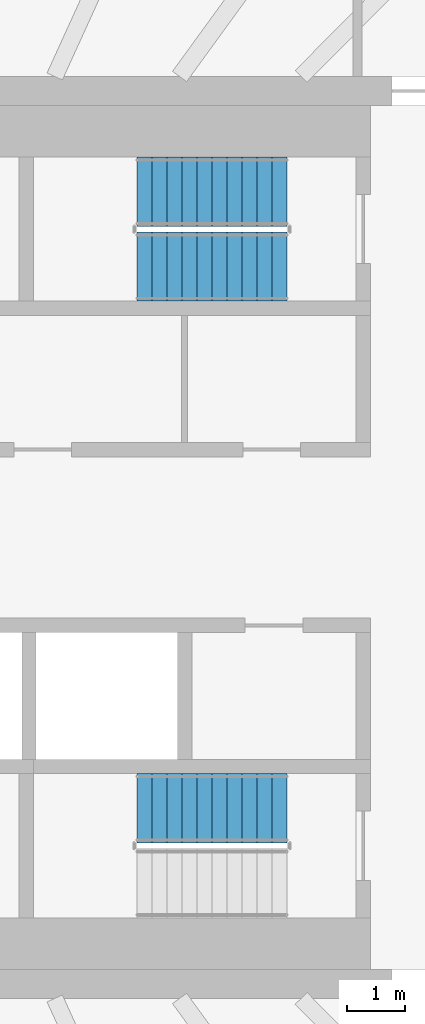
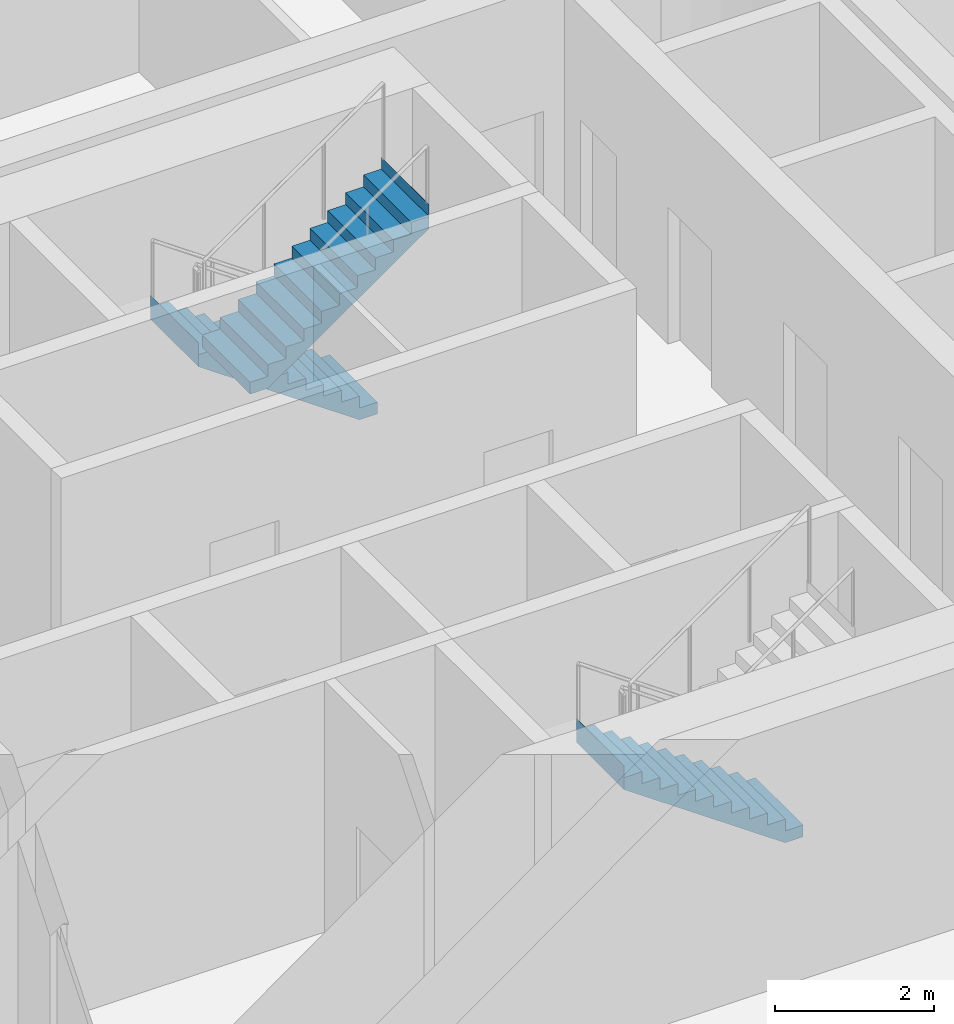
# One storey, part 17 of 23: 3 stair flights, 2 elements without a shape of their own.
"""IFC4 building model written with IfcOpenShell, lengths in metres."""

from ifc_helpers import new_model, si_unit, direction, frame, origin, place, context, subcontext, project, spatial, triangles, material, type_object, element, aggregate, save


model = new_model("IFC4")

# Units and contexts
model_context = context("Model", 3, precision=1e-05, world=origin(), true_north=direction((0.0, 1.0)))
body_context = subcontext(model_context, "Body", "Model", "MODEL_VIEW")
ifc_project = project(units=[si_unit("LENGTHUNIT", "METRE"), si_unit("AREAUNIT", "SQUARE_METRE"), si_unit("VOLUMEUNIT", "CUBIC_METRE"), si_unit("PLANEANGLEUNIT", "RADIAN"), si_unit("MASSUNIT", "GRAM", prefix="KILO")], contexts=[model_context])

# Site, building, storey
site_placement = place(None, origin())
site = spatial("IfcSite", under=ifc_project, at=site_placement, CompositionType="ELEMENT")
building_placement = place(site_placement, origin())
building = spatial("IfcBuilding", under=site, at=building_placement, Name="Sahrelin Media Tower", CompositionType="ELEMENT")
storey_placement = place(building_placement, frame((0.0, 0.0, 161.60009765625)))
storey = spatial("IfcBuildingStorey", under=building, at=storey_placement, Name="L33", CompositionType="ELEMENT", Elevation=161.60009765625)

# Stair, stair flights
ifc_material = material(Name="Concrete C40/50", Category="concrete")
stair_type = type_object("IfcStairType", Name="Exit stair 1200", PredefinedType="HALF_TURN_STAIR", material=ifc_material)
placement = place(storey_placement, origin())
stair_1 = element("IfcStair", 1, at=placement, inside=storey, type_object=stair_type, Name="L33 Exit stair ST3", PredefinedType="HALF_TURN_STAIR")
stair_flight_type = type_object("IfcStairFlightType", Name="Stair flight 1200", PredefinedType="STRAIGHT", material=ifc_material)
stair_flight_1_placement = place(storey_placement, frame((7.675048828125, 6.0, 0.0), z_axis=(0.0, 0.0, 1.0), x_axis=(-1.0, 0.0, 0.0)))
stair_flight_1 = element("IfcStairFlight", 2, at=stair_flight_1_placement, type_object=stair_flight_type, Name="ST3 flight 1", NumberOfRisers=11, NumberOfTreads=10, PredefinedType="STRAIGHT", RiserHeight=0.181818182, TreadLength=0.26, context=body_context, shape_type="Tessellation", body=[
    triangles([(0.261474609375, 0.60009765625, 0.0), (0.261474609375, 0.300048828125, 0.0), (0.261474609375, 0.0, 0.0), (0.261474609375, -0.300048828125, 0.0), (0.261474609375, -0.60009765625, 0.0), (2.60009765625, 0.60009765625, 1.63525390625), (2.60009765625, 0.300048828125, 1.63525390625), (2.60009765625, 0.0, 1.63525390625), (2.60009765625, -0.300048828125, 1.63525390625), (2.60009765625, -0.60009765625, 1.63525390625), (2.60009765625, 0.60009765625, 2.0), (2.60009765625, 0.300048828125, 2.0), (2.60009765625, 0.0, 2.0), (2.60009765625, -0.300048828125, 2.0), (2.60009765625, -0.60009765625, 2.0), (2.597900390625, 0.60009765625, 2.0), (2.597900390625, 0.300048828125, 2.0), (2.597900390625, 0.0, 2.0), (2.597900390625, -0.300048828125, 2.0), (2.597900390625, -0.60009765625, 2.0), (2.597900390625, 0.60009765625, 1.818115234375), (2.597900390625, 0.300048828125, 1.818115234375), (2.597900390625, 0.0, 1.818115234375), (2.597900390625, -0.300048828125, 1.818115234375), (2.597900390625, -0.60009765625, 1.818115234375), (2.340087890625, 0.60009765625, 1.818115234375), (2.340087890625, 0.300048828125, 1.818115234375), (2.340087890625, 0.0, 1.818115234375), (2.340087890625, -0.300048828125, 1.818115234375), (2.340087890625, -0.60009765625, 1.818115234375), (2.340087890625, 0.60009765625, 1.636474609375), (2.340087890625, 0.300048828125, 1.636474609375), (2.340087890625, 0.0, 1.636474609375), (2.340087890625, -0.300048828125, 1.636474609375), (2.340087890625, -0.60009765625, 1.636474609375), (2.080078125, 0.60009765625, 1.636474609375), (2.080078125, 0.300048828125, 1.636474609375), (2.080078125, 0.0, 1.636474609375), (2.080078125, -0.300048828125, 1.636474609375), (2.080078125, -0.60009765625, 1.636474609375), (2.080078125, 0.60009765625, 1.45458984375), (2.080078125, 0.300048828125, 1.45458984375), (2.080078125, 0.0, 1.45458984375), (2.080078125, -0.300048828125, 1.45458984375), (2.080078125, -0.60009765625, 1.45458984375), (1.820068359375, 0.60009765625, 1.45458984375), (1.820068359375, 0.300048828125, 1.45458984375), (1.820068359375, 0.0, 1.45458984375), (1.820068359375, -0.300048828125, 1.45458984375), (1.820068359375, -0.60009765625, 1.45458984375), (1.820068359375, 0.60009765625, 1.272705078125), (1.820068359375, 0.300048828125, 1.272705078125), (1.820068359375, 0.0, 1.272705078125), (1.820068359375, -0.300048828125, 1.272705078125), (1.820068359375, -0.60009765625, 1.272705078125), (1.56005859375, 0.60009765625, 1.272705078125), (1.56005859375, 0.300048828125, 1.272705078125), (1.56005859375, 0.0, 1.272705078125), (1.56005859375, -0.300048828125, 1.272705078125), (1.56005859375, -0.60009765625, 1.272705078125), (1.56005859375, 0.60009765625, 1.0908203125), (1.56005859375, 0.300048828125, 1.0908203125), (1.56005859375, 0.0, 1.0908203125), (1.56005859375, -0.300048828125, 1.0908203125), (1.56005859375, -0.60009765625, 1.0908203125), (1.300048828125, 0.60009765625, 1.0908203125), (1.300048828125, 0.300048828125, 1.0908203125), (1.300048828125, 0.0, 1.0908203125), (1.300048828125, -0.300048828125, 1.0908203125), (1.300048828125, -0.60009765625, 1.0908203125), (1.300048828125, 0.60009765625, 0.9091796875), (1.300048828125, 0.300048828125, 0.9091796875), (1.300048828125, 0.0, 0.9091796875), (1.300048828125, -0.300048828125, 0.9091796875), (1.300048828125, -0.60009765625, 0.9091796875), (1.0400390625, 0.60009765625, 0.9091796875), (1.0400390625, 0.300048828125, 0.9091796875), (1.0400390625, 0.0, 0.9091796875), (1.0400390625, -0.300048828125, 0.9091796875), (1.0400390625, -0.60009765625, 0.9091796875), (1.0400390625, 0.60009765625, 0.727294921875), (1.0400390625, 0.300048828125, 0.727294921875), (1.0400390625, 0.0, 0.727294921875), (1.0400390625, -0.300048828125, 0.727294921875), (1.0400390625, -0.60009765625, 0.727294921875), (0.780029296875, 0.60009765625, 0.727294921875), (0.780029296875, 0.300048828125, 0.727294921875), (0.780029296875, 0.0, 0.727294921875), (0.780029296875, -0.300048828125, 0.727294921875), (0.780029296875, -0.60009765625, 0.727294921875), (0.780029296875, 0.60009765625, 0.54541015625), (0.780029296875, 0.300048828125, 0.54541015625), (0.780029296875, 0.0, 0.54541015625), (0.780029296875, -0.300048828125, 0.54541015625), (0.780029296875, -0.60009765625, 0.54541015625), (0.52001953125, 0.60009765625, 0.54541015625), (0.52001953125, 0.300048828125, 0.54541015625), (0.52001953125, 0.0, 0.54541015625), (0.52001953125, -0.300048828125, 0.54541015625), (0.52001953125, -0.60009765625, 0.54541015625), (0.52001953125, 0.60009765625, 0.363525390625), (0.52001953125, 0.300048828125, 0.363525390625), (0.52001953125, 0.0, 0.363525390625), (0.52001953125, -0.300048828125, 0.363525390625), (0.52001953125, -0.60009765625, 0.363525390625), (0.260009765625, 0.60009765625, 0.363525390625), (0.260009765625, 0.300048828125, 0.363525390625), (0.260009765625, 0.0, 0.363525390625), (0.260009765625, -0.300048828125, 0.363525390625), (0.260009765625, -0.60009765625, 0.363525390625), (0.260009765625, 0.60009765625, 0.181884765625), (0.260009765625, 0.300048828125, 0.181884765625), (0.260009765625, 0.0, 0.181884765625), (0.260009765625, -0.300048828125, 0.181884765625), (0.260009765625, -0.60009765625, 0.181884765625), (0.0, 0.60009765625, 0.181884765625), (0.0, 0.300048828125, 0.181884765625), (0.0, 0.0, 0.181884765625), (0.0, -0.300048828125, 0.181884765625), (0.0, -0.60009765625, 0.181884765625), (0.0, 0.60009765625, 0.0), (0.0, 0.300048828125, 0.0), (0.0, 0.0, 0.0), (0.0, -0.300048828125, 0.0), (0.0, -0.60009765625, 0.0)], [[1, 6, 7], [1, 7, 2], [2, 7, 8], [2, 8, 3], [3, 8, 9], [3, 9, 4], [4, 9, 10], [4, 10, 5], [6, 11, 12], [6, 12, 7], [7, 12, 13], [7, 13, 8], [8, 13, 14], [8, 14, 9], [9, 14, 15], [9, 15, 10], [11, 16, 17], [11, 17, 12], [12, 17, 18], [12, 18, 13], [13, 18, 19], [13, 19, 14], [14, 19, 20], [14, 20, 15], [16, 21, 22], [16, 22, 17], [17, 22, 23], [17, 23, 18], [18, 23, 24], [18, 24, 19], [19, 24, 25], [19, 25, 20], [21, 26, 27], [21, 27, 22], [22, 27, 28], [22, 28, 23], [23, 28, 29], [23, 29, 24], [24, 29, 30], [24, 30, 25], [26, 31, 32], [26, 32, 27], [27, 32, 33], [27, 33, 28], [28, 33, 34], [28, 34, 29], [29, 34, 35], [29, 35, 30], [31, 36, 37], [31, 37, 32], [32, 37, 38], [32, 38, 33], [33, 38, 39], [33, 39, 34], [34, 39, 40], [34, 40, 35], [36, 41, 42], [36, 42, 37], [37, 42, 43], [37, 43, 38], [38, 43, 44], [38, 44, 39], [39, 44, 45], [39, 45, 40], [41, 46, 47], [41, 47, 42], [42, 47, 48], [42, 48, 43], [43, 48, 49], [43, 49, 44], [44, 49, 50], [44, 50, 45], [46, 51, 52], [46, 52, 47], [47, 52, 53], [47, 53, 48], [48, 53, 54], [48, 54, 49], [49, 54, 55], [49, 55, 50], [51, 56, 57], [51, 57, 52], [52, 57, 58], [52, 58, 53], [53, 58, 59], [53, 59, 54], [54, 59, 60], [54, 60, 55], [56, 61, 62], [56, 62, 57], [57, 62, 63], [57, 63, 58], [58, 63, 64], [58, 64, 59], [59, 64, 65], [59, 65, 60], [61, 66, 67], [61, 67, 62], [62, 67, 68], [62, 68, 63], [63, 68, 69], [63, 69, 64], [64, 69, 70], [64, 70, 65], [66, 71, 72], [66, 72, 67], [67, 72, 73], [67, 73, 68], [68, 73, 74], [68, 74, 69], [69, 74, 75], [69, 75, 70], [71, 76, 77], [71, 77, 72], [72, 77, 78], [72, 78, 73], [73, 78, 79], [73, 79, 74], [74, 79, 80], [74, 80, 75], [76, 81, 82], [76, 82, 77], [77, 82, 83], [77, 83, 78], [78, 83, 84], [78, 84, 79], [79, 84, 85], [79, 85, 80], [81, 86, 87], [81, 87, 82], [82, 87, 88], [82, 88, 83], [83, 88, 89], [83, 89, 84], [84, 89, 90], [84, 90, 85], [86, 91, 92], [86, 92, 87], [87, 92, 93], [87, 93, 88], [88, 93, 94], [88, 94, 89], [89, 94, 95], [89, 95, 90], [91, 96, 97], [91, 97, 92], [92, 97, 98], [92, 98, 93], [93, 98, 99], [93, 99, 94], [94, 99, 100], [94, 100, 95], [96, 101, 102], [96, 102, 97], [97, 102, 103], [97, 103, 98], [98, 103, 104], [98, 104, 99], [99, 104, 105], [99, 105, 100], [101, 106, 107], [101, 107, 102], [102, 107, 108], [102, 108, 103], [103, 108, 109], [103, 109, 104], [104, 109, 110], [104, 110, 105], [106, 111, 112], [106, 112, 107], [107, 112, 113], [107, 113, 108], [108, 113, 114], [108, 114, 109], [109, 114, 115], [109, 115, 110], [111, 116, 117], [111, 117, 112], [112, 117, 118], [112, 118, 113], [113, 118, 119], [113, 119, 114], [114, 119, 120], [114, 120, 115], [116, 121, 122], [116, 122, 117], [117, 122, 123], [117, 123, 118], [118, 123, 124], [118, 124, 119], [119, 124, 125], [119, 125, 120], [121, 1, 2], [121, 2, 122], [122, 2, 3], [122, 3, 123], [123, 3, 4], [123, 4, 124], [124, 4, 5], [124, 5, 125], [115, 120, 125], [111, 121, 116], [115, 105, 110], [111, 106, 101], [105, 95, 100], [101, 96, 91], [95, 85, 90], [91, 86, 81], [85, 75, 80], [81, 76, 71], [75, 65, 70], [71, 66, 61], [65, 55, 60], [61, 56, 51], [55, 45, 50], [51, 46, 41], [45, 35, 40], [41, 36, 31], [35, 25, 30], [31, 26, 21], [25, 15, 20], [21, 16, 11], [125, 5, 115], [121, 111, 1], [25, 10, 15], [21, 11, 6], [105, 115, 5], [101, 1, 111], [35, 10, 25], [31, 21, 6], [95, 105, 5], [91, 1, 101], [45, 10, 35], [41, 31, 6], [85, 95, 5], [81, 1, 91], [55, 10, 45], [51, 41, 6], [75, 85, 5], [71, 1, 81], [65, 10, 55], [61, 51, 6], [5, 10, 75], [1, 71, 6], [75, 10, 65], [71, 61, 6]], closed=True),
])
stair_flight_2_placement = place(storey_placement, frame((5.074951171875, 4.699951171875, 2.0), z_axis=(0.0, 0.0, 1.0), x_axis=(1.0, 0.0, 0.0)))
stair_flight_2 = element("IfcStairFlight", 3, at=stair_flight_2_placement, type_object=stair_flight_type, Name="ST3 flight 2", NumberOfRisers=11, NumberOfTreads=10, PredefinedType="STRAIGHT", RiserHeight=0.181818182, TreadLength=0.26, context=body_context, shape_type="Tessellation", body=[
    triangles([(0.261474609375, 0.60009765625, 0.0), (0.261474609375, 0.300048828125, 0.0), (0.261474609375, 0.0, 0.0), (0.261474609375, -0.300048828125, 0.0), (0.261474609375, -0.60009765625, 0.0), (2.60009765625, 0.60009765625, 1.63525390625), (2.60009765625, 0.300048828125, 1.63525390625), (2.60009765625, 0.0, 1.63525390625), (2.60009765625, -0.300048828125, 1.63525390625), (2.60009765625, -0.60009765625, 1.63525390625), (2.60009765625, 0.60009765625, 2.0), (2.60009765625, 0.300048828125, 2.0), (2.60009765625, 0.0, 2.0), (2.60009765625, -0.300048828125, 2.0), (2.60009765625, -0.60009765625, 2.0), (2.597900390625, 0.60009765625, 2.0), (2.597900390625, 0.300048828125, 2.0), (2.597900390625, 0.0, 2.0), (2.597900390625, -0.300048828125, 2.0), (2.597900390625, -0.60009765625, 2.0), (2.597900390625, 0.60009765625, 1.818115234375), (2.597900390625, 0.300048828125, 1.818115234375), (2.597900390625, 0.0, 1.818115234375), (2.597900390625, -0.300048828125, 1.818115234375), (2.597900390625, -0.60009765625, 1.818115234375), (2.340087890625, 0.60009765625, 1.818115234375), (2.340087890625, 0.300048828125, 1.818115234375), (2.340087890625, 0.0, 1.818115234375), (2.340087890625, -0.300048828125, 1.818115234375), (2.340087890625, -0.60009765625, 1.818115234375), (2.340087890625, 0.60009765625, 1.636474609375), (2.340087890625, 0.300048828125, 1.636474609375), (2.340087890625, 0.0, 1.636474609375), (2.340087890625, -0.300048828125, 1.636474609375), (2.340087890625, -0.60009765625, 1.636474609375), (2.080078125, 0.60009765625, 1.636474609375), (2.080078125, 0.300048828125, 1.636474609375), (2.080078125, 0.0, 1.636474609375), (2.080078125, -0.300048828125, 1.636474609375), (2.080078125, -0.60009765625, 1.636474609375), (2.080078125, 0.60009765625, 1.45458984375), (2.080078125, 0.300048828125, 1.45458984375), (2.080078125, 0.0, 1.45458984375), (2.080078125, -0.300048828125, 1.45458984375), (2.080078125, -0.60009765625, 1.45458984375), (1.820068359375, 0.60009765625, 1.45458984375), (1.820068359375, 0.300048828125, 1.45458984375), (1.820068359375, 0.0, 1.45458984375), (1.820068359375, -0.300048828125, 1.45458984375), (1.820068359375, -0.60009765625, 1.45458984375), (1.820068359375, 0.60009765625, 1.272705078125), (1.820068359375, 0.300048828125, 1.272705078125), (1.820068359375, 0.0, 1.272705078125), (1.820068359375, -0.300048828125, 1.272705078125), (1.820068359375, -0.60009765625, 1.272705078125), (1.56005859375, 0.60009765625, 1.272705078125), (1.56005859375, 0.300048828125, 1.272705078125), (1.56005859375, 0.0, 1.272705078125), (1.56005859375, -0.300048828125, 1.272705078125), (1.56005859375, -0.60009765625, 1.272705078125), (1.56005859375, 0.60009765625, 1.0908203125), (1.56005859375, 0.300048828125, 1.0908203125), (1.56005859375, 0.0, 1.0908203125), (1.56005859375, -0.300048828125, 1.0908203125), (1.56005859375, -0.60009765625, 1.0908203125), (1.300048828125, 0.60009765625, 1.0908203125), (1.300048828125, 0.300048828125, 1.0908203125), (1.300048828125, 0.0, 1.0908203125), (1.300048828125, -0.300048828125, 1.0908203125), (1.300048828125, -0.60009765625, 1.0908203125), (1.300048828125, 0.60009765625, 0.9091796875), (1.300048828125, 0.300048828125, 0.9091796875), (1.300048828125, 0.0, 0.9091796875), (1.300048828125, -0.300048828125, 0.9091796875), (1.300048828125, -0.60009765625, 0.9091796875), (1.0400390625, 0.60009765625, 0.9091796875), (1.0400390625, 0.300048828125, 0.9091796875), (1.0400390625, 0.0, 0.9091796875), (1.0400390625, -0.300048828125, 0.9091796875), (1.0400390625, -0.60009765625, 0.9091796875), (1.0400390625, 0.60009765625, 0.727294921875), (1.0400390625, 0.300048828125, 0.727294921875), (1.0400390625, 0.0, 0.727294921875), (1.0400390625, -0.300048828125, 0.727294921875), (1.0400390625, -0.60009765625, 0.727294921875), (0.780029296875, 0.60009765625, 0.727294921875), (0.780029296875, 0.300048828125, 0.727294921875), (0.780029296875, 0.0, 0.727294921875), (0.780029296875, -0.300048828125, 0.727294921875), (0.780029296875, -0.60009765625, 0.727294921875), (0.780029296875, 0.60009765625, 0.54541015625), (0.780029296875, 0.300048828125, 0.54541015625), (0.780029296875, 0.0, 0.54541015625), (0.780029296875, -0.300048828125, 0.54541015625), (0.780029296875, -0.60009765625, 0.54541015625), (0.52001953125, 0.60009765625, 0.54541015625), (0.52001953125, 0.300048828125, 0.54541015625), (0.52001953125, 0.0, 0.54541015625), (0.52001953125, -0.300048828125, 0.54541015625), (0.52001953125, -0.60009765625, 0.54541015625), (0.52001953125, 0.60009765625, 0.363525390625), (0.52001953125, 0.300048828125, 0.363525390625), (0.52001953125, 0.0, 0.363525390625), (0.52001953125, -0.300048828125, 0.363525390625), (0.52001953125, -0.60009765625, 0.363525390625), (0.260009765625, 0.60009765625, 0.363525390625), (0.260009765625, 0.300048828125, 0.363525390625), (0.260009765625, 0.0, 0.363525390625), (0.260009765625, -0.300048828125, 0.363525390625), (0.260009765625, -0.60009765625, 0.363525390625), (0.260009765625, 0.60009765625, 0.181884765625), (0.260009765625, 0.300048828125, 0.181884765625), (0.260009765625, 0.0, 0.181884765625), (0.260009765625, -0.300048828125, 0.181884765625), (0.260009765625, -0.60009765625, 0.181884765625), (0.0, 0.60009765625, 0.181884765625), (0.0, 0.300048828125, 0.181884765625), (0.0, 0.0, 0.181884765625), (0.0, -0.300048828125, 0.181884765625), (0.0, -0.60009765625, 0.181884765625), (0.0, 0.60009765625, 0.0), (0.0, 0.300048828125, 0.0), (0.0, 0.0, 0.0), (0.0, -0.300048828125, 0.0), (0.0, -0.60009765625, 0.0)], [[1, 6, 7], [1, 7, 2], [2, 7, 8], [2, 8, 3], [3, 8, 9], [3, 9, 4], [4, 9, 10], [4, 10, 5], [6, 11, 12], [6, 12, 7], [7, 12, 13], [7, 13, 8], [8, 13, 14], [8, 14, 9], [9, 14, 15], [9, 15, 10], [11, 16, 17], [11, 17, 12], [12, 17, 18], [12, 18, 13], [13, 18, 19], [13, 19, 14], [14, 19, 20], [14, 20, 15], [16, 21, 22], [16, 22, 17], [17, 22, 23], [17, 23, 18], [18, 23, 24], [18, 24, 19], [19, 24, 25], [19, 25, 20], [21, 26, 27], [21, 27, 22], [22, 27, 28], [22, 28, 23], [23, 28, 29], [23, 29, 24], [24, 29, 30], [24, 30, 25], [26, 31, 32], [26, 32, 27], [27, 32, 33], [27, 33, 28], [28, 33, 34], [28, 34, 29], [29, 34, 35], [29, 35, 30], [31, 36, 37], [31, 37, 32], [32, 37, 38], [32, 38, 33], [33, 38, 39], [33, 39, 34], [34, 39, 40], [34, 40, 35], [36, 41, 42], [36, 42, 37], [37, 42, 43], [37, 43, 38], [38, 43, 44], [38, 44, 39], [39, 44, 45], [39, 45, 40], [41, 46, 47], [41, 47, 42], [42, 47, 48], [42, 48, 43], [43, 48, 49], [43, 49, 44], [44, 49, 50], [44, 50, 45], [46, 51, 52], [46, 52, 47], [47, 52, 53], [47, 53, 48], [48, 53, 54], [48, 54, 49], [49, 54, 55], [49, 55, 50], [51, 56, 57], [51, 57, 52], [52, 57, 58], [52, 58, 53], [53, 58, 59], [53, 59, 54], [54, 59, 60], [54, 60, 55], [56, 61, 62], [56, 62, 57], [57, 62, 63], [57, 63, 58], [58, 63, 64], [58, 64, 59], [59, 64, 65], [59, 65, 60], [61, 66, 67], [61, 67, 62], [62, 67, 68], [62, 68, 63], [63, 68, 69], [63, 69, 64], [64, 69, 70], [64, 70, 65], [66, 71, 72], [66, 72, 67], [67, 72, 73], [67, 73, 68], [68, 73, 74], [68, 74, 69], [69, 74, 75], [69, 75, 70], [71, 76, 77], [71, 77, 72], [72, 77, 78], [72, 78, 73], [73, 78, 79], [73, 79, 74], [74, 79, 80], [74, 80, 75], [76, 81, 82], [76, 82, 77], [77, 82, 83], [77, 83, 78], [78, 83, 84], [78, 84, 79], [79, 84, 85], [79, 85, 80], [81, 86, 87], [81, 87, 82], [82, 87, 88], [82, 88, 83], [83, 88, 89], [83, 89, 84], [84, 89, 90], [84, 90, 85], [86, 91, 92], [86, 92, 87], [87, 92, 93], [87, 93, 88], [88, 93, 94], [88, 94, 89], [89, 94, 95], [89, 95, 90], [91, 96, 97], [91, 97, 92], [92, 97, 98], [92, 98, 93], [93, 98, 99], [93, 99, 94], [94, 99, 100], [94, 100, 95], [96, 101, 102], [96, 102, 97], [97, 102, 103], [97, 103, 98], [98, 103, 104], [98, 104, 99], [99, 104, 105], [99, 105, 100], [101, 106, 107], [101, 107, 102], [102, 107, 108], [102, 108, 103], [103, 108, 109], [103, 109, 104], [104, 109, 110], [104, 110, 105], [106, 111, 112], [106, 112, 107], [107, 112, 113], [107, 113, 108], [108, 113, 114], [108, 114, 109], [109, 114, 115], [109, 115, 110], [111, 116, 117], [111, 117, 112], [112, 117, 118], [112, 118, 113], [113, 118, 119], [113, 119, 114], [114, 119, 120], [114, 120, 115], [116, 121, 122], [116, 122, 117], [117, 122, 123], [117, 123, 118], [118, 123, 124], [118, 124, 119], [119, 124, 125], [119, 125, 120], [121, 1, 2], [121, 2, 122], [122, 2, 3], [122, 3, 123], [123, 3, 4], [123, 4, 124], [124, 4, 5], [124, 5, 125], [115, 120, 125], [111, 121, 116], [115, 105, 110], [111, 106, 101], [105, 95, 100], [101, 96, 91], [95, 85, 90], [91, 86, 81], [85, 75, 80], [81, 76, 71], [75, 65, 70], [71, 66, 61], [65, 55, 60], [61, 56, 51], [55, 45, 50], [51, 46, 41], [45, 35, 40], [41, 36, 31], [35, 25, 30], [31, 26, 21], [25, 15, 20], [21, 16, 11], [125, 5, 115], [121, 111, 1], [25, 10, 15], [21, 11, 6], [105, 115, 5], [101, 1, 111], [35, 10, 25], [31, 21, 6], [95, 105, 5], [91, 1, 101], [45, 10, 35], [41, 31, 6], [85, 95, 5], [81, 1, 91], [55, 10, 45], [51, 41, 6], [75, 85, 5], [71, 1, 81], [65, 10, 55], [61, 51, 6], [5, 10, 75], [1, 71, 6], [75, 10, 65], [71, 61, 6]], closed=True),
])
aggregate(stair_1, [stair_flight_1, stair_flight_2])

# Stair, stair flight
stair_2 = element("IfcStair", 4, at=placement, inside=storey, type_object=stair_type, Name="L33 Exit stair ST2", PredefinedType="HALF_TURN_STAIR")
stair_flight_3_placement = place(storey_placement, frame((7.675048828125, -4.699951171875, 0.0), z_axis=(0.0, 0.0, 1.0), x_axis=(-1.0, 0.0, 0.0)))
stair_flight_3 = element("IfcStairFlight", 5, at=stair_flight_3_placement, type_object=stair_flight_type, Name="ST2 flight 1", NumberOfRisers=11, NumberOfTreads=10, PredefinedType="STRAIGHT", RiserHeight=0.181818182, TreadLength=0.26, context=body_context, shape_type="Tessellation", body=[
    triangles([(0.261474609375, 0.60009765625, 0.0), (0.261474609375, 0.300048828125, 0.0), (0.261474609375, 0.0, 0.0), (0.261474609375, -0.300048828125, 0.0), (0.261474609375, -0.60009765625, 0.0), (2.60009765625, 0.60009765625, 1.63525390625), (2.60009765625, 0.300048828125, 1.63525390625), (2.60009765625, 0.0, 1.63525390625), (2.60009765625, -0.300048828125, 1.63525390625), (2.60009765625, -0.60009765625, 1.63525390625), (2.60009765625, 0.60009765625, 2.0), (2.60009765625, 0.300048828125, 2.0), (2.60009765625, 0.0, 2.0), (2.60009765625, -0.300048828125, 2.0), (2.60009765625, -0.60009765625, 2.0), (2.597900390625, 0.60009765625, 2.0), (2.597900390625, 0.300048828125, 2.0), (2.597900390625, 0.0, 2.0), (2.597900390625, -0.300048828125, 2.0), (2.597900390625, -0.60009765625, 2.0), (2.597900390625, 0.60009765625, 1.818115234375), (2.597900390625, 0.300048828125, 1.818115234375), (2.597900390625, 0.0, 1.818115234375), (2.597900390625, -0.300048828125, 1.818115234375), (2.597900390625, -0.60009765625, 1.818115234375), (2.340087890625, 0.60009765625, 1.818115234375), (2.340087890625, 0.300048828125, 1.818115234375), (2.340087890625, 0.0, 1.818115234375), (2.340087890625, -0.300048828125, 1.818115234375), (2.340087890625, -0.60009765625, 1.818115234375), (2.340087890625, 0.60009765625, 1.636474609375), (2.340087890625, 0.300048828125, 1.636474609375), (2.340087890625, 0.0, 1.636474609375), (2.340087890625, -0.300048828125, 1.636474609375), (2.340087890625, -0.60009765625, 1.636474609375), (2.080078125, 0.60009765625, 1.636474609375), (2.080078125, 0.300048828125, 1.636474609375), (2.080078125, 0.0, 1.636474609375), (2.080078125, -0.300048828125, 1.636474609375), (2.080078125, -0.60009765625, 1.636474609375), (2.080078125, 0.60009765625, 1.45458984375), (2.080078125, 0.300048828125, 1.45458984375), (2.080078125, 0.0, 1.45458984375), (2.080078125, -0.300048828125, 1.45458984375), (2.080078125, -0.60009765625, 1.45458984375), (1.820068359375, 0.60009765625, 1.45458984375), (1.820068359375, 0.300048828125, 1.45458984375), (1.820068359375, 0.0, 1.45458984375), (1.820068359375, -0.300048828125, 1.45458984375), (1.820068359375, -0.60009765625, 1.45458984375), (1.820068359375, 0.60009765625, 1.272705078125), (1.820068359375, 0.300048828125, 1.272705078125), (1.820068359375, 0.0, 1.272705078125), (1.820068359375, -0.300048828125, 1.272705078125), (1.820068359375, -0.60009765625, 1.272705078125), (1.56005859375, 0.60009765625, 1.272705078125), (1.56005859375, 0.300048828125, 1.272705078125), (1.56005859375, 0.0, 1.272705078125), (1.56005859375, -0.300048828125, 1.272705078125), (1.56005859375, -0.60009765625, 1.272705078125), (1.56005859375, 0.60009765625, 1.0908203125), (1.56005859375, 0.300048828125, 1.0908203125), (1.56005859375, 0.0, 1.0908203125), (1.56005859375, -0.300048828125, 1.0908203125), (1.56005859375, -0.60009765625, 1.0908203125), (1.300048828125, 0.60009765625, 1.0908203125), (1.300048828125, 0.300048828125, 1.0908203125), (1.300048828125, 0.0, 1.0908203125), (1.300048828125, -0.300048828125, 1.0908203125), (1.300048828125, -0.60009765625, 1.0908203125), (1.300048828125, 0.60009765625, 0.9091796875), (1.300048828125, 0.300048828125, 0.9091796875), (1.300048828125, 0.0, 0.9091796875), (1.300048828125, -0.300048828125, 0.9091796875), (1.300048828125, -0.60009765625, 0.9091796875), (1.0400390625, 0.60009765625, 0.9091796875), (1.0400390625, 0.300048828125, 0.9091796875), (1.0400390625, 0.0, 0.9091796875), (1.0400390625, -0.300048828125, 0.9091796875), (1.0400390625, -0.60009765625, 0.9091796875), (1.0400390625, 0.60009765625, 0.727294921875), (1.0400390625, 0.300048828125, 0.727294921875), (1.0400390625, 0.0, 0.727294921875), (1.0400390625, -0.300048828125, 0.727294921875), (1.0400390625, -0.60009765625, 0.727294921875), (0.780029296875, 0.60009765625, 0.727294921875), (0.780029296875, 0.300048828125, 0.727294921875), (0.780029296875, 0.0, 0.727294921875), (0.780029296875, -0.300048828125, 0.727294921875), (0.780029296875, -0.60009765625, 0.727294921875), (0.780029296875, 0.60009765625, 0.54541015625), (0.780029296875, 0.300048828125, 0.54541015625), (0.780029296875, 0.0, 0.54541015625), (0.780029296875, -0.300048828125, 0.54541015625), (0.780029296875, -0.60009765625, 0.54541015625), (0.52001953125, 0.60009765625, 0.54541015625), (0.52001953125, 0.300048828125, 0.54541015625), (0.52001953125, 0.0, 0.54541015625), (0.52001953125, -0.300048828125, 0.54541015625), (0.52001953125, -0.60009765625, 0.54541015625), (0.52001953125, 0.60009765625, 0.363525390625), (0.52001953125, 0.300048828125, 0.363525390625), (0.52001953125, 0.0, 0.363525390625), (0.52001953125, -0.300048828125, 0.363525390625), (0.52001953125, -0.60009765625, 0.363525390625), (0.260009765625, 0.60009765625, 0.363525390625), (0.260009765625, 0.300048828125, 0.363525390625), (0.260009765625, 0.0, 0.363525390625), (0.260009765625, -0.300048828125, 0.363525390625), (0.260009765625, -0.60009765625, 0.363525390625), (0.260009765625, 0.60009765625, 0.181884765625), (0.260009765625, 0.300048828125, 0.181884765625), (0.260009765625, 0.0, 0.181884765625), (0.260009765625, -0.300048828125, 0.181884765625), (0.260009765625, -0.60009765625, 0.181884765625), (0.0, 0.60009765625, 0.181884765625), (0.0, 0.300048828125, 0.181884765625), (0.0, 0.0, 0.181884765625), (0.0, -0.300048828125, 0.181884765625), (0.0, -0.60009765625, 0.181884765625), (0.0, 0.60009765625, 0.0), (0.0, 0.300048828125, 0.0), (0.0, 0.0, 0.0), (0.0, -0.300048828125, 0.0), (0.0, -0.60009765625, 0.0)], [[1, 6, 7], [1, 7, 2], [2, 7, 8], [2, 8, 3], [3, 8, 9], [3, 9, 4], [4, 9, 10], [4, 10, 5], [6, 11, 12], [6, 12, 7], [7, 12, 13], [7, 13, 8], [8, 13, 14], [8, 14, 9], [9, 14, 15], [9, 15, 10], [11, 16, 17], [11, 17, 12], [12, 17, 18], [12, 18, 13], [13, 18, 19], [13, 19, 14], [14, 19, 20], [14, 20, 15], [16, 21, 22], [16, 22, 17], [17, 22, 23], [17, 23, 18], [18, 23, 24], [18, 24, 19], [19, 24, 25], [19, 25, 20], [21, 26, 27], [21, 27, 22], [22, 27, 28], [22, 28, 23], [23, 28, 29], [23, 29, 24], [24, 29, 30], [24, 30, 25], [26, 31, 32], [26, 32, 27], [27, 32, 33], [27, 33, 28], [28, 33, 34], [28, 34, 29], [29, 34, 35], [29, 35, 30], [31, 36, 37], [31, 37, 32], [32, 37, 38], [32, 38, 33], [33, 38, 39], [33, 39, 34], [34, 39, 40], [34, 40, 35], [36, 41, 42], [36, 42, 37], [37, 42, 43], [37, 43, 38], [38, 43, 44], [38, 44, 39], [39, 44, 45], [39, 45, 40], [41, 46, 47], [41, 47, 42], [42, 47, 48], [42, 48, 43], [43, 48, 49], [43, 49, 44], [44, 49, 50], [44, 50, 45], [46, 51, 52], [46, 52, 47], [47, 52, 53], [47, 53, 48], [48, 53, 54], [48, 54, 49], [49, 54, 55], [49, 55, 50], [51, 56, 57], [51, 57, 52], [52, 57, 58], [52, 58, 53], [53, 58, 59], [53, 59, 54], [54, 59, 60], [54, 60, 55], [56, 61, 62], [56, 62, 57], [57, 62, 63], [57, 63, 58], [58, 63, 64], [58, 64, 59], [59, 64, 65], [59, 65, 60], [61, 66, 67], [61, 67, 62], [62, 67, 68], [62, 68, 63], [63, 68, 69], [63, 69, 64], [64, 69, 70], [64, 70, 65], [66, 71, 72], [66, 72, 67], [67, 72, 73], [67, 73, 68], [68, 73, 74], [68, 74, 69], [69, 74, 75], [69, 75, 70], [71, 76, 77], [71, 77, 72], [72, 77, 78], [72, 78, 73], [73, 78, 79], [73, 79, 74], [74, 79, 80], [74, 80, 75], [76, 81, 82], [76, 82, 77], [77, 82, 83], [77, 83, 78], [78, 83, 84], [78, 84, 79], [79, 84, 85], [79, 85, 80], [81, 86, 87], [81, 87, 82], [82, 87, 88], [82, 88, 83], [83, 88, 89], [83, 89, 84], [84, 89, 90], [84, 90, 85], [86, 91, 92], [86, 92, 87], [87, 92, 93], [87, 93, 88], [88, 93, 94], [88, 94, 89], [89, 94, 95], [89, 95, 90], [91, 96, 97], [91, 97, 92], [92, 97, 98], [92, 98, 93], [93, 98, 99], [93, 99, 94], [94, 99, 100], [94, 100, 95], [96, 101, 102], [96, 102, 97], [97, 102, 103], [97, 103, 98], [98, 103, 104], [98, 104, 99], [99, 104, 105], [99, 105, 100], [101, 106, 107], [101, 107, 102], [102, 107, 108], [102, 108, 103], [103, 108, 109], [103, 109, 104], [104, 109, 110], [104, 110, 105], [106, 111, 112], [106, 112, 107], [107, 112, 113], [107, 113, 108], [108, 113, 114], [108, 114, 109], [109, 114, 115], [109, 115, 110], [111, 116, 117], [111, 117, 112], [112, 117, 118], [112, 118, 113], [113, 118, 119], [113, 119, 114], [114, 119, 120], [114, 120, 115], [116, 121, 122], [116, 122, 117], [117, 122, 123], [117, 123, 118], [118, 123, 124], [118, 124, 119], [119, 124, 125], [119, 125, 120], [121, 1, 2], [121, 2, 122], [122, 2, 3], [122, 3, 123], [123, 3, 4], [123, 4, 124], [124, 4, 5], [124, 5, 125], [115, 120, 125], [111, 121, 116], [115, 105, 110], [111, 106, 101], [105, 95, 100], [101, 96, 91], [95, 85, 90], [91, 86, 81], [85, 75, 80], [81, 76, 71], [75, 65, 70], [71, 66, 61], [65, 55, 60], [61, 56, 51], [55, 45, 50], [51, 46, 41], [45, 35, 40], [41, 36, 31], [35, 25, 30], [31, 26, 21], [25, 15, 20], [21, 16, 11], [125, 5, 115], [121, 111, 1], [25, 10, 15], [21, 11, 6], [105, 115, 5], [101, 1, 111], [35, 10, 25], [31, 21, 6], [95, 105, 5], [91, 1, 101], [45, 10, 35], [41, 31, 6], [85, 95, 5], [81, 1, 91], [55, 10, 45], [51, 41, 6], [75, 85, 5], [71, 1, 81], [65, 10, 55], [61, 51, 6], [5, 10, 75], [1, 71, 6], [75, 10, 65], [71, 61, 6]], closed=True),
])
aggregate(stair_2, [stair_flight_3])

save(model, "model.ifc")
